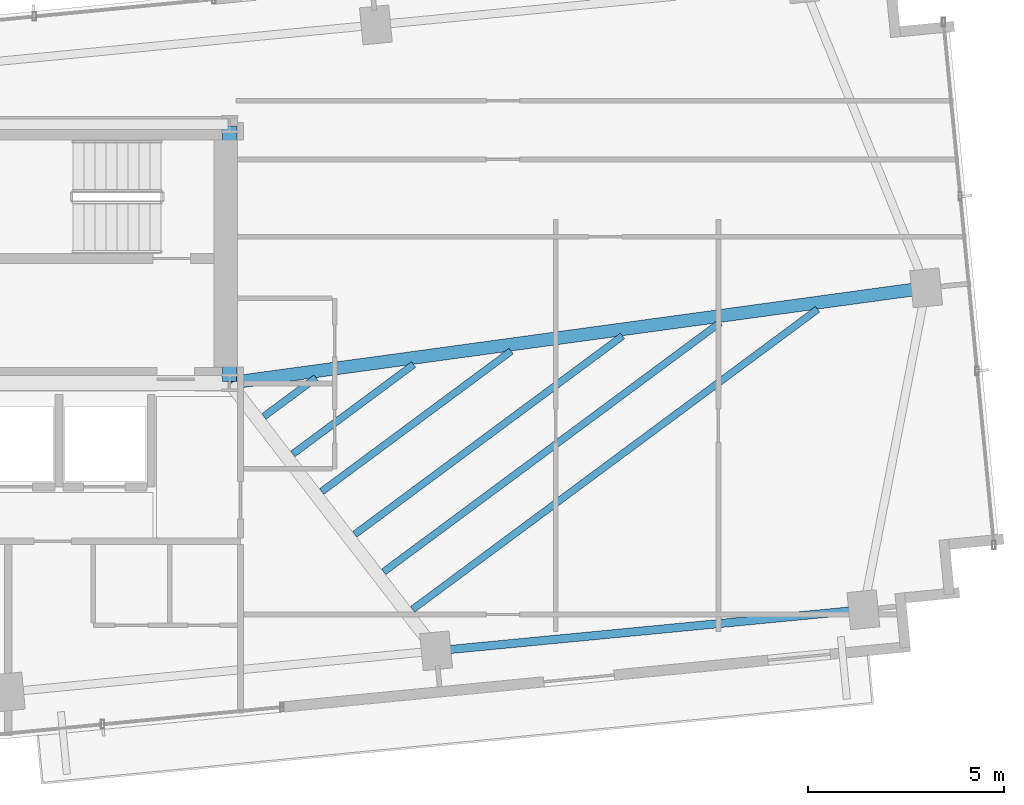
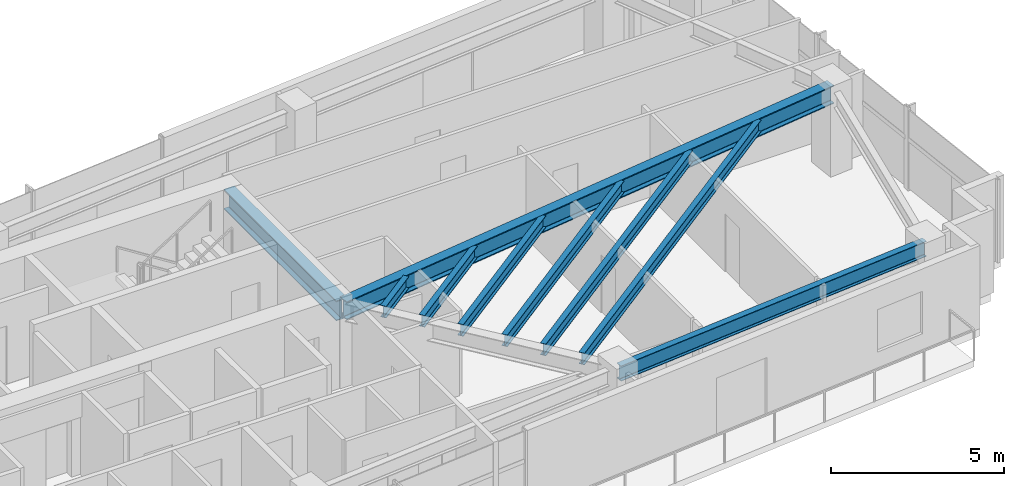
# One storey, part 9 of 18: 9 beams.
"""IFC4 building model written with IfcOpenShell, lengths in metres."""

from ifc_helpers import new_model, si_unit, direction, frame, origin, origin_2d, place, context, subcontext, project, spatial, i_section, extrude, source, transform, mapped, material, material_profile, profile_set, type_object, type_shapes, element, save


model = new_model("IFC4")

# Units and contexts
model_context = context("Model", 3, precision=1e-05, world=origin(), true_north=direction((0.0, 1.0)))
body_context = subcontext(model_context, "Body", "Model", "MODEL_VIEW")
ifc_project = project(units=[si_unit("LENGTHUNIT", "METRE"), si_unit("AREAUNIT", "SQUARE_METRE"), si_unit("VOLUMEUNIT", "CUBIC_METRE"), si_unit("PLANEANGLEUNIT", "RADIAN"), si_unit("MASSUNIT", "GRAM", prefix="KILO")], contexts=[model_context])

# Site, building, storey
site_placement = place(None, origin())
site = spatial("IfcSite", under=ifc_project, at=site_placement, CompositionType="ELEMENT")
building_placement = place(site_placement, origin())
building = spatial("IfcBuilding", under=site, at=building_placement, Name="Astriad Promenade Condominiums", CompositionType="ELEMENT")
storey_placement = place(building_placement, frame((0.0, 0.0, 198.60009765625)))
storey = spatial("IfcBuildingStorey", under=building, at=storey_placement, Name="L57", CompositionType="ELEMENT", Elevation=198.60009765625)

# Beams
ifc_material = material(Name="Steel ASTM A992 Grade 50", Category="steel")
ifc_material_profile_1 = material_profile(ifc_material, i_section(OverallWidth=0.35791015625, OverallDepth=0.706298828125, WebThickness=0.018310546875, FlangeThickness=0.0302734375, FilletRadius=0.020263671875, at=origin_2d()), Name="W27X178")
ifc_profile_set_1 = profile_set([ifc_material_profile_1], Name="Steel ASTM A992 Grade 50")
beam_type_1 = type_object("IfcBeamType", Name="STEEL FLOOR GIRDER W27X178", PredefinedType="BEAM", material=ifc_profile_set_1)
shared_shape_1 = source(origin(), body_context, "Body", "SweptSolid", [
    extrude(i_section(OverallWidth=0.35791015625, OverallDepth=0.706298828125, WebThickness=0.018310546875, FlangeThickness=0.0302734375, FilletRadius=0.020263671875, at=origin_2d()), origin(), (0.0, 0.0, 1.0), 6.52001953125),
])
type_shapes(beam_type_1, [shared_shape_1])
beam_1_placement = place(storey_placement, frame((45.60009765625, 17.43994140625, 2.586669921875), z_axis=(0.0, 1.0, 0.0), x_axis=(-1.0, 0.0, 0.0)))
element("IfcBeam", 1, at=beam_1_placement, inside=storey, type_object=beam_type_1, Name="Core Ring Beam CG-E1-L57", PredefinedType="BEAM", context=body_context, shape_type="MappedRepresentation", body=[
    mapped(shared_shape_1, transform((0.0, 0.0, 0.0), scale=1.0)),
])
ifc_material_profile_2 = material_profile(ifc_material, i_section(OverallWidth=0.210693359375, OverallDepth=0.53955078125, WebThickness=0.01171875, FlangeThickness=0.018798828125, FilletRadius=0.0166015625, at=origin_2d()), Name="W21X73")
ifc_profile_set_2 = profile_set([ifc_material_profile_2], Name="Steel ASTM A992 Grade 50")
beam_type_2 = type_object("IfcBeamType", Name="STEEL SPANDREL BEAM W21X73", PredefinedType="SPANDREL", material=ifc_profile_set_2)
shared_shape_2 = source(origin(), body_context, "Body", "SweptSolid", [
    extrude(i_section(OverallWidth=0.210693359375, OverallDepth=0.53955078125, WebThickness=0.01171875, FlangeThickness=0.018798828125, FilletRadius=0.0166015625, at=origin_2d()), origin(), (0.0, 0.0, 1.0), 10.869873046875),
])
type_shapes(beam_type_2, [shared_shape_2])
beam_2_placement = place(storey_placement, frame((50.908203125, 10.5703125, 2.670166015625), z_axis=(0.995396922692, 0.095838229819, 0.0), x_axis=(-0.095838229819, 0.995396922692, 0.0)))
element("IfcBeam", 2, at=beam_2_placement, inside=storey, type_object=beam_type_2, Name="Perimeter Spandrel Beam SP-S4-L57", PredefinedType="SPANDREL", context=body_context, shape_type="MappedRepresentation", body=[
    mapped(shared_shape_2, transform((0.0, 0.0, 0.0), scale=1.0)),
])
ifc_material_profile_3 = material_profile(ifc_material, i_section(OverallWidth=0.327392578125, OverallDepth=0.640625, WebThickness=0.01904296875, FlangeThickness=0.033935546875, FilletRadius=0.017822265625, at=origin_2d()), Name="W24X176")
ifc_profile_set_3 = profile_set([ifc_material_profile_3], Name="Steel ASTM A992 Grade 50")
beam_type_3 = type_object("IfcBeamType", Name="STEEL FLOOR GIRDER W24X176", PredefinedType="BEAM", material=ifc_profile_set_3)
shared_shape_3 = source(origin(), body_context, "Body", "SweptSolid", [
    extrude(i_section(OverallWidth=0.327392578125, OverallDepth=0.640625, WebThickness=0.01904296875, FlangeThickness=0.033935546875, FilletRadius=0.017822265625, at=origin_2d()), origin(), (0.0, 0.0, 1.0), 17.853271484375),
])
type_shapes(beam_type_3, [shared_shape_3])
beam_3_placement = place(storey_placement, frame((63.32861328125, 19.82177734375, 2.61962890625), z_axis=(-0.990799186345, -0.135340209612, 0.0), x_axis=(0.135340209612, -0.990799186345, 0.0)))
element("IfcBeam", 3, at=beam_3_placement, inside=storey, type_object=beam_type_3, Name="Primary Floor Girder PG-EM-L57", PredefinedType="BEAM", context=body_context, shape_type="MappedRepresentation", body=[
    mapped(shared_shape_3, transform((0.0, 0.0, 0.0), scale=1.0)),
])
ifc_material_profile_4 = material_profile(ifc_material, i_section(OverallWidth=0.180908203125, OverallDepth=0.417236328125, WebThickness=0.010986328125, FlangeThickness=0.018310546875, FilletRadius=0.013916015625, at=origin_2d()), Name="W16X57")
ifc_profile_set_4 = profile_set([ifc_material_profile_4], Name="Steel ASTM A992 Grade 50")
beam_type_4 = type_object("IfcBeamType", Name="STEEL FLOOR JOIST W16X57", PredefinedType="JOIST", material=ifc_profile_set_4)
shared_shape_4 = source(origin(), body_context, "Body", "SweptSolid", [
    extrude(i_section(OverallWidth=0.180908203125, OverallDepth=0.417236328125, WebThickness=0.010986328125, FlangeThickness=0.018310546875, FilletRadius=0.013916015625, at=origin_2d()), origin(), (0.0, 0.0, 1.0), 12.85498046875),
])
beam_4_placement = place(storey_placement, frame((50.27001953125, 11.626220703125, 2.731201171875), z_axis=(0.803505042716, 0.595297947526, 0.0), x_axis=(-0.595297947526, 0.803505042716, 0.0)))
element("IfcBeam", 4, at=beam_4_placement, inside=storey, type_object=beam_type_4, Name="Secondary Composite Floor Joist JE1-1-L57", PredefinedType="JOIST", context=body_context, shape_type="MappedRepresentation", body=[
    mapped(shared_shape_4, transform((0.0, 0.0, 0.0), scale=1.0)),
])
shared_shape_5 = source(origin(), body_context, "Body", "SweptSolid", [
    extrude(i_section(OverallWidth=0.180908203125, OverallDepth=0.417236328125, WebThickness=0.010986328125, FlangeThickness=0.018310546875, FilletRadius=0.013916015625, at=origin_2d()), origin(), (0.0, 0.0, 1.0), 10.677001953125),
])
beam_5_placement = place(storey_placement, frame((49.532470703125, 12.5830078125, 2.731201171875), z_axis=(0.803509393025, 0.595292075641, 0.0), x_axis=(-0.595292075641, 0.803509393025, 0.0)))
element("IfcBeam", 5, at=beam_5_placement, inside=storey, type_object=beam_type_4, Name="Secondary Composite Floor Joist JE1-2-L57", PredefinedType="JOIST", context=body_context, shape_type="MappedRepresentation", body=[
    mapped(shared_shape_5, transform((0.0, 0.0, 0.0), scale=1.0)),
])
shared_shape_6 = source(origin(), body_context, "Body", "SweptSolid", [
    extrude(i_section(OverallWidth=0.180908203125, OverallDepth=0.417236328125, WebThickness=0.010986328125, FlangeThickness=0.018310546875, FilletRadius=0.013916015625, at=origin_2d()), origin(), (0.0, 0.0, 1.0), 8.4990234375),
])
beam_6_placement = place(storey_placement, frame((48.794921875, 13.539794921875, 2.731201171875), z_axis=(0.803515972929, 0.595283194159, 0.0), x_axis=(-0.595283194159, 0.803515972929, 0.0)))
element("IfcBeam", 6, at=beam_6_placement, inside=storey, type_object=beam_type_4, Name="Secondary Composite Floor Joist JE1-3-L57", PredefinedType="JOIST", context=body_context, shape_type="MappedRepresentation", body=[
    mapped(shared_shape_6, transform((0.0, 0.0, 0.0), scale=1.0)),
])
shared_shape_7 = source(origin(), body_context, "Body", "SweptSolid", [
    extrude(i_section(OverallWidth=0.180908203125, OverallDepth=0.417236328125, WebThickness=0.010986328125, FlangeThickness=0.018310546875, FilletRadius=0.013916015625, at=origin_2d()), origin(), (0.0, 0.0, 1.0), 6.01025390625),
])
beam_7_placement = place(storey_placement, frame((47.951904296875, 14.633056640625, 2.731201171875), z_axis=(0.803510418138, 0.595290691968, 0.0), x_axis=(-0.595290691968, 0.803510418138, 0.0)))
element("IfcBeam", 7, at=beam_7_placement, inside=storey, type_object=beam_type_4, Name="Secondary Composite Floor Joist JE1-4-L57", PredefinedType="JOIST", context=body_context, shape_type="MappedRepresentation", body=[
    mapped(shared_shape_7, transform((0.0, 0.0, 0.0), scale=1.0)),
])
shared_shape_8 = source(origin(), body_context, "Body", "SweptSolid", [
    extrude(i_section(OverallWidth=0.180908203125, OverallDepth=0.417236328125, WebThickness=0.010986328125, FlangeThickness=0.018310546875, FilletRadius=0.013916015625, at=origin_2d()), origin(), (0.0, 0.0, 1.0), 3.832275390625),
])
beam_8_placement = place(storey_placement, frame((47.21435546875, 15.58984375, 2.731201171875), z_axis=(0.803525593062, 0.59527020864, 0.0), x_axis=(-0.59527020864, 0.803525593062, 0.0)))
element("IfcBeam", 8, at=beam_8_placement, inside=storey, type_object=beam_type_4, Name="Secondary Composite Floor Joist JE1-5-L57", PredefinedType="JOIST", context=body_context, shape_type="MappedRepresentation", body=[
    mapped(shared_shape_8, transform((0.0, 0.0, 0.0), scale=1.0)),
])
shared_shape_9 = source(origin(), body_context, "Body", "SweptSolid", [
    extrude(i_section(OverallWidth=0.180908203125, OverallDepth=0.417236328125, WebThickness=0.010986328125, FlangeThickness=0.018310546875, FilletRadius=0.013916015625, at=origin_2d()), origin(), (0.0, 0.0, 1.0), 1.654541015625),
])
type_shapes(beam_type_4, [shared_shape_4, shared_shape_5, shared_shape_6, shared_shape_7, shared_shape_8, shared_shape_9])
beam_9_placement = place(storey_placement, frame((46.476806640625, 16.54638671875, 2.731201171875), z_axis=(0.803510136239, 0.595291072468, 0.0), x_axis=(-0.595291072468, 0.803510136239, 0.0)))
element("IfcBeam", 9, at=beam_9_placement, inside=storey, type_object=beam_type_4, Name="Secondary Composite Floor Joist JE1-6-L57", PredefinedType="JOIST", context=body_context, shape_type="MappedRepresentation", body=[
    mapped(shared_shape_9, transform((0.0, 0.0, 0.0), scale=1.0)),
])

save(model, "model.ifc")
